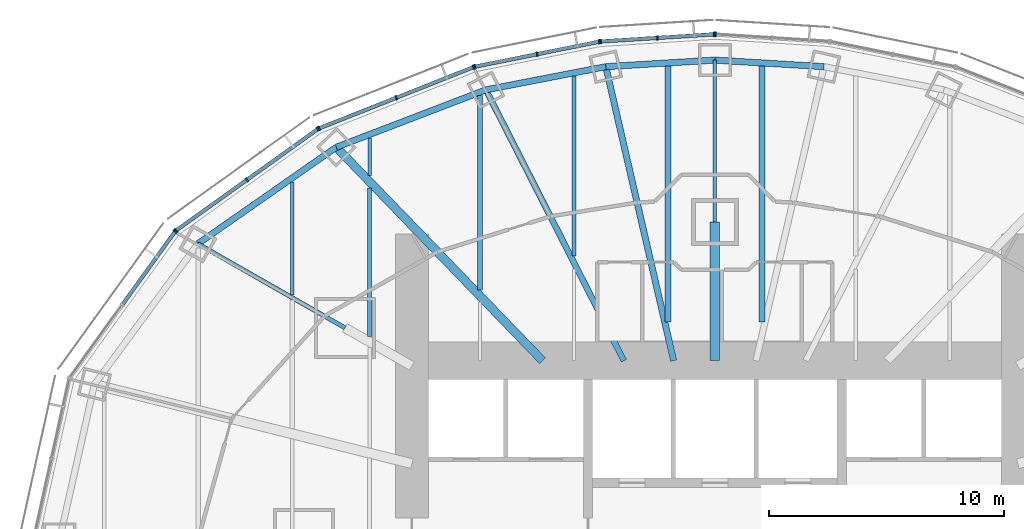
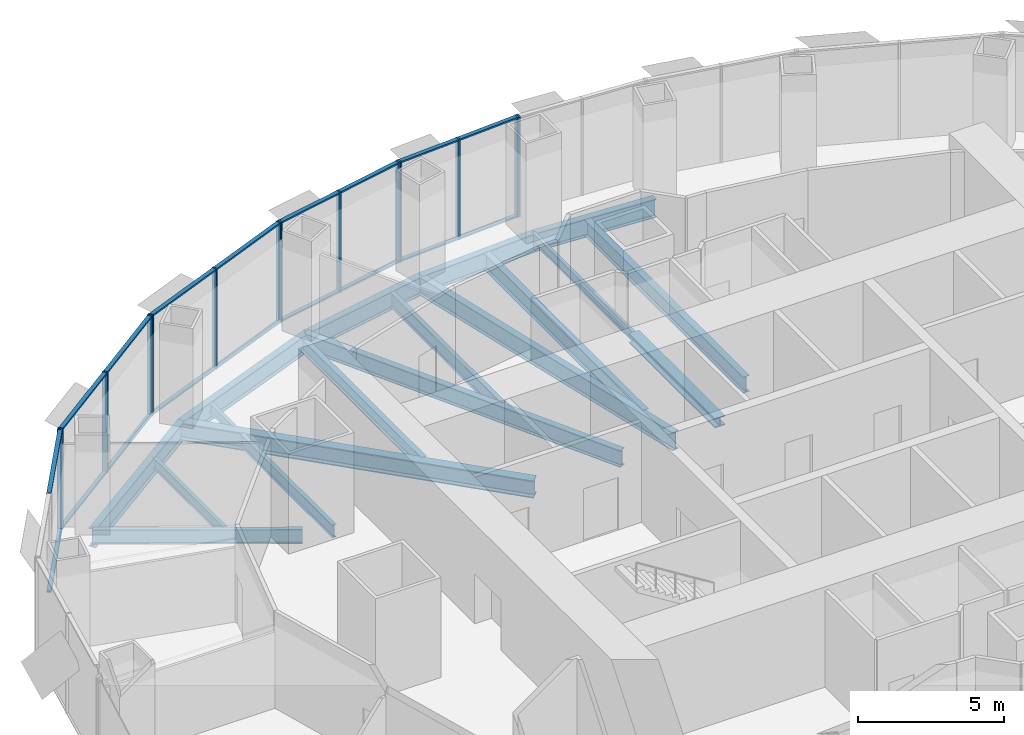
# One storey, part 7 of 17: 32 members, 18 beams, 6 elements without a shape of their own.
"""IFC4 building model written with IfcOpenShell, lengths in metres."""

import ifcopenshell
import ifcopenshell.guid

model = None  # the IFC model being written
_history = None  # IfcOwnerHistory: only IFC2X3 demands one
_inside = {}  # id of a spatial element -> (the spatial element, [elements in it])
_under = {}  # id of a project, library or spatial element -> (it, [spatial elements below it])
_declared = {}  # id of a project -> (the project, [libraries it declares])
_typed = {}  # id of a type object -> (the type object, [elements of that type])
_made_of = {}  # id of a material, layer set ... -> (it, [elements and type objects made of it])


def new_model(schema):
    """Start an empty IFC model of exactly this schema.

    Asked for "IFC4X3", IfcOpenShell would pick the latest addendum, in which some entities
    have other attributes; the version numbers below select the first issue.
    IFC2X3 requires an IfcOwnerHistory on every rooted entity: one is made here for all.
    """
    global model, _history
    if schema == "IFC4X3":
        model = ifcopenshell.file(schema_version=(4, 3, 0, 0))
    else:
        model = ifcopenshell.file(schema=schema)
    _inside.clear()
    _under.clear()
    _declared.clear()
    _typed.clear()
    _made_of.clear()
    _history = None
    if model.schema == "IFC2X3":
        org = make("IfcOrganization", Name="unknown")
        user = make(
            "IfcPersonAndOrganization",
            ThePerson=make("IfcPerson", FamilyName="unknown"),
            TheOrganization=org,
        )
        app = make(
            "IfcApplication",
            ApplicationDeveloper=org,
            Version="unknown",
            ApplicationFullName="unknown",
            ApplicationIdentifier="unknown",
        )
        _history = make(
            "IfcOwnerHistory",
            OwningUser=user,
            OwningApplication=app,
            ChangeAction="ADDED",
            CreationDate=0,
        )
    return model


def make(cls, **values):
    """One entity of the class cls with the attributes given. An attribute that is None is left unset."""
    return model.create_entity(
        cls, **{name: value for name, value in values.items() if value is not None}
    )


def rooted(cls, **values):
    """An entity with a GlobalId (a new one), such as an element, a storey or a relation."""
    return make(cls, GlobalId=ifcopenshell.guid.new(), OwnerHistory=_history, **values)


def si_unit(unit_type, name, prefix=None):
    """IfcSIUnit, for example si_unit("LENGTHUNIT", "METRE", prefix="MILLI")."""
    return make("IfcSIUnit", UnitType=unit_type, Prefix=prefix, Name=name)


def assignment(units):
    """IfcUnitAssignment: the units of a project."""
    return None if units is None else make("IfcUnitAssignment", Units=units)


def point(xyz):
    """IfcCartesianPoint."""
    return None if xyz is None else make("IfcCartesianPoint", Coordinates=xyz)


def direction(xyz):
    """IfcDirection."""
    return None if xyz is None else make("IfcDirection", DirectionRatios=xyz)


def frame(location, z_axis=None, x_axis=None):
    """IfcAxis2Placement3D, a coordinate frame: its origin and axes. An axis left out is left unset."""
    return make(
        "IfcAxis2Placement3D",
        Location=point(location),
        Axis=direction(z_axis),
        RefDirection=direction(x_axis),
    )


def frame_2d(location, x_axis=None):
    """IfcAxis2Placement2D, a coordinate frame in the plane: its origin and x axis."""
    return make(
        "IfcAxis2Placement2D", Location=point(location), RefDirection=direction(x_axis)
    )


def origin():
    """The frame at (0, 0, 0) with its axes left unset."""
    return frame((0.0, 0.0, 0.0))


def origin_2d():
    """The frame at (0, 0) in the plane with its x axis left unset."""
    return frame_2d((0.0, 0.0))


def place(relative_to, where):
    """IfcLocalPlacement: puts the frame where relative to a parent placement (None: the world)."""
    return make(
        "IfcLocalPlacement", PlacementRelTo=relative_to, RelativePlacement=where
    )


def context(
    kind, dimensions, precision=None, world=None, true_north=None, identifier=None
):
    """IfcGeometricRepresentationContext, for example the 3D "Model" context."""
    return make(
        "IfcGeometricRepresentationContext",
        ContextIdentifier=identifier,
        ContextType=kind,
        CoordinateSpaceDimension=dimensions,
        Precision=precision,
        WorldCoordinateSystem=world,
        TrueNorth=true_north,
    )


def subcontext(parent, identifier, kind, view, scale=None):
    """IfcGeometricRepresentationSubContext, for example "Body" below "Model"."""
    return make(
        "IfcGeometricRepresentationSubContext",
        ContextIdentifier=identifier,
        ContextType=kind,
        ParentContext=parent,
        TargetScale=scale,
        TargetView=view,
    )


def project(units=None, contexts=None):
    """IfcProject with its units and contexts."""
    return rooted(
        "IfcProject",
        Name="project",
        RepresentationContexts=contexts,
        UnitsInContext=assignment(units),
    )


def spatial(cls, under=None, at=None, **own):
    """A site, building, storey or space (cls), placed at a placement, below another one or the project."""
    s = rooted(cls, ObjectPlacement=at, **own)
    if under is not None:
        _under.setdefault(under.id(), (under, []))[1].append(s)
    return s


def profile(cls, at=None, kind="AREA", **sizes):
    """A parametric profile (cls). Its sizes go by their IFC names, for example OverallWidth=200.0."""
    return make(cls, ProfileType=kind, Position=at, **sizes)


def rectangle(**sizes):
    """IfcRectangleProfileDef."""
    return profile("IfcRectangleProfileDef", **sizes)


def i_section(**sizes):
    """IfcIShapeProfileDef."""
    return profile("IfcIShapeProfileDef", **sizes)


def extrude(swept, where, along, depth):
    """IfcExtrudedAreaSolid: the profile swept, set in the frame where, extruded along a direction by depth."""
    return make(
        "IfcExtrudedAreaSolid",
        SweptArea=swept,
        Position=where,
        ExtrudedDirection=direction(along),
        Depth=depth,
    )


def shape(context_of_items, identifier, shape_type, items):
    """IfcShapeRepresentation: the items that make up one representation, for example the "Body"."""
    return make(
        "IfcShapeRepresentation",
        ContextOfItems=context_of_items,
        RepresentationIdentifier=identifier,
        RepresentationType=shape_type,
        Items=items,
    )


def material(Name=None, Category=None):
    """IfcMaterial."""
    return make("IfcMaterial", Name=Name, Category=Category)


def material_profile(
    of_material, cross_section, Name=None, Category=None, Priority=None
):
    """IfcMaterialProfile: a cross section and its material."""
    return make(
        "IfcMaterialProfile",
        Name=Name,
        Material=of_material,
        Profile=cross_section,
        Priority=Priority,
        Category=Category,
    )


def profile_set(profiles, Name=None, composite=None):
    """IfcMaterialProfileSet."""
    return make(
        "IfcMaterialProfileSet",
        Name=Name,
        MaterialProfiles=profiles,
        CompositeProfile=composite,
    )


def made_of(thing, what):
    """Note that an element or type object is made of a material, layer set ...; save() writes the relation."""
    if what is not None:
        _made_of.setdefault(what.id(), (what, []))[1].append(thing)
    return thing


def type_object(cls, material=None, **own):
    """A type object (cls), such as IfcWallType, which elements share."""
    return made_of(rooted(cls, **own), material)


def element(
    cls,
    number,
    at=None,
    inside=None,
    cuts=None,
    type_object=None,
    material=None,
    context=None,
    identifier="Body",
    shape_type=None,
    held_by="IfcProductDefinitionShape",
    body=None,
    shapes=None,
    **own,
):
    """One element of the class cls, such as IfcWall. Its Tag is "e" and its number.

    at: its placement. inside: the storey or other place that contains it. cuts: it is an
    opening in that element (IfcRelVoidsElement). A single representation is given by context,
    identifier, shape_type and body (its items); several are given by shapes. held_by: the class
    of the entity that holds the representations. save() writes the other relations.
    """
    e = rooted(cls, Tag="e%d" % number, ObjectPlacement=at, **own)
    if body is not None:
        shapes = [shape(context, identifier, shape_type, body)]
    if shapes is not None:
        e.Representation = make(held_by, Representations=shapes)
    if inside is not None:
        _inside.setdefault(inside.id(), (inside, []))[1].append(e)
    if cuts is not None:
        rooted(
            "IfcRelVoidsElement", RelatingBuildingElement=cuts, RelatedOpeningElement=e
        )
    if type_object is not None:
        _typed.setdefault(type_object.id(), (type_object, []))[1].append(e)
    return made_of(e, material)


def aggregate(whole, parts):
    """IfcRelAggregates: a whole, such as a stair, and the parts it consists of."""
    return rooted("IfcRelAggregates", RelatingObject=whole, RelatedObjects=parts)


def save(model, path):
    """Write the relations noted so far, then the file.

    IfcRelAggregates (storeys below a building ...), IfcRelContainedInSpatialStructure (elements
    in a storey), IfcRelDefinesByType, IfcRelAssociatesMaterial and IfcRelDeclares: one each for
    every whole, place, type object, material and project.
    """
    for whole, parts in _under.values():
        aggregate(whole, parts)
    for where, things in _inside.values():
        rooted(
            "IfcRelContainedInSpatialStructure",
            RelatedElements=things,
            RelatingStructure=where,
        )
    for kind, things in _typed.values():
        rooted("IfcRelDefinesByType", RelatedObjects=things, RelatingType=kind)
    for what, things in _made_of.values():
        rooted("IfcRelAssociatesMaterial", RelatedObjects=things, RelatingMaterial=what)
    for by, libraries in _declared.values():
        rooted("IfcRelDeclares", RelatingContext=by, RelatedDefinitions=libraries)
    model.write(path)


model = new_model("IFC4")

# Units and contexts
model_context = context("Model", 3, precision=1e-05, world=origin(), true_north=direction((0.0, 1.0)))
body_context = subcontext(model_context, "Body", "Model", "MODEL_VIEW")
ifc_project = project(units=[si_unit("LENGTHUNIT", "METRE"), si_unit("AREAUNIT", "SQUARE_METRE"), si_unit("VOLUMEUNIT", "CUBIC_METRE"), si_unit("PLANEANGLEUNIT", "RADIAN"), si_unit("MASSUNIT", "GRAM", prefix="KILO")], contexts=[model_context])

# Site, building, storey
site_placement = place(None, origin())
site = spatial("IfcSite", under=ifc_project, at=site_placement, CompositionType="ELEMENT")
building_placement = place(site_placement, origin())
building = spatial("IfcBuilding", under=site, at=building_placement, Name="Lantaw Convention Tower", CompositionType="ELEMENT")
storey_placement = place(building_placement, frame((0.0, 0.0, 125.800048828125)))
storey = spatial("IfcBuildingStorey", under=building, at=storey_placement, Name="L29", CompositionType="ELEMENT", Elevation=125.800048828125)

# Beams
ifc_material_1 = material(Name="Steel ASTM A992", Category="steel")
ifc_material_profile_1 = material_profile(ifc_material_1, i_section(OverallWidth=0.2666015625, OverallDepth=0.76953125, WebThickness=0.015625, FlangeThickness=0.025390625, FilletRadius=0.0126953125, at=origin_2d()), Name="W30X132")
ifc_profile_set_1 = profile_set([ifc_material_profile_1], Name="Steel ASTM A992")
beam_type_1 = type_object("IfcBeamType", Name="Beam E W30X132", PredefinedType="SPANDREL", material=ifc_profile_set_1)
for number, where, z_axis, x_axis, name in (
    (1, (4.64501953125, 20.1201171875, -0.534912109375), (-0.998190892054, 0.06012439621, 0.0), (-0.06012439621, -0.998190892054, 0.0), "Edge beam 6"),
    (2, (0.0, 20.39990234375, -0.534912109375), (-0.998190892054, -0.06012439621, 0.0), (0.06012439621, -0.998190892054, 0.0), "Edge beam 7"),
):
    element("IfcBeam", number, at=place(storey_placement, frame(where, z_axis=z_axis, x_axis=x_axis)), inside=storey, type_object=beam_type_1, Name=name, PredefinedType="SPANDREL", context=body_context, shape_type="SweptSolid", body=[
        extrude(i_section(OverallWidth=0.2666015625, OverallDepth=0.76953125, WebThickness=0.015625, FlangeThickness=0.025390625, FilletRadius=0.0126953125, at=origin_2d()), origin(), (0.0, 0.0, 1.0), 4.6533203125),
    ])
beam_1_placement = place(storey_placement, frame((-4.64501953125, 20.1201171875, -0.534912109375), z_axis=(-0.981796805654, -0.189934284446, 0.0), x_axis=(0.189934284446, -0.981796805654, 0.0)))
element("IfcBeam", 3, at=beam_1_placement, inside=storey, type_object=beam_type_1, Name="Edge beam 8", PredefinedType="SPANDREL", context=body_context, shape_type="SweptSolid", body=[
    extrude(i_section(OverallWidth=0.2666015625, OverallDepth=0.76953125, WebThickness=0.015625, FlangeThickness=0.025390625, FilletRadius=0.0126953125, at=origin_2d()), origin(), (0.0, 0.0, 1.0), 5.1982421875),
])
beam_2_placement = place(storey_placement, frame((-9.74853515625, 19.1328125, -0.534912109375), z_axis=(-0.933691081977, -0.358079549033, 0.0), x_axis=(0.358079549033, -0.933691081977, 0.0)))
element("IfcBeam", 4, at=beam_2_placement, inside=storey, type_object=beam_type_1, Name="Edge beam 9", PredefinedType="SPANDREL", context=body_context, shape_type="SweptSolid", body=[
    extrude(i_section(OverallWidth=0.2666015625, OverallDepth=0.76953125, WebThickness=0.015625, FlangeThickness=0.025390625, FilletRadius=0.0126953125, at=origin_2d()), origin(), (0.0, 0.0, 1.0), 6.821533203125),
])
beam_3_placement = place(storey_placement, frame((-16.11767578125, 16.690185546875, -0.534912109375), z_axis=(-0.820310765287, -0.57191804339, 0.0), x_axis=(0.57191804339, -0.820310765287, 0.0)))
element("IfcBeam", 5, at=beam_3_placement, inside=storey, type_object=beam_type_1, Name="Edge beam 10", PredefinedType="SPANDREL", context=body_context, shape_type="SweptSolid", body=[
    extrude(i_section(OverallWidth=0.2666015625, OverallDepth=0.76953125, WebThickness=0.015625, FlangeThickness=0.025390625, FilletRadius=0.0126953125, at=origin_2d()), origin(), (0.0, 0.0, 1.0), 7.187744140625),
])
ifc_material_profile_2 = material_profile(ifc_material_1, i_section(OverallWidth=0.140380859375, OverallDepth=0.40380859375, WebThickness=0.007080078125, FlangeThickness=0.01123046875, FilletRadius=0.01025390625, at=origin_2d()), Name="W16X31")
ifc_profile_set_2 = profile_set([ifc_material_profile_2], Name="Steel ASTM A992")
beam_type_2 = type_object("IfcBeamType", Name="Beam G W16X31", PredefinedType="BEAM", material=ifc_profile_set_2)
beam_4_placement = place(storey_placement, frame((0.0, 13.5, -0.35205078125), z_axis=(0.0, 1.0, 0.0), x_axis=(-1.0, 0.0, 0.0)))
element("IfcBeam", 6, at=beam_4_placement, inside=storey, type_object=beam_type_2, Name="Floor girder on ray 7", PredefinedType="BEAM", context=body_context, shape_type="SweptSolid", body=[
    extrude(i_section(OverallWidth=0.140380859375, OverallDepth=0.40380859375, WebThickness=0.007080078125, FlangeThickness=0.01123046875, FilletRadius=0.01025390625, at=origin_2d()), origin(), (0.0, 0.0, 1.0), 6.89990234375),
])
ifc_material_profile_3 = material_profile(ifc_material_1, i_section(OverallWidth=0.177978515625, OverallDepth=0.599365234375, WebThickness=0.010009765625, FlangeThickness=0.012939453125, FilletRadius=0.012939453125, at=origin_2d()), Name="W24X55")
ifc_profile_set_3 = profile_set([ifc_material_profile_3], Name="Steel ASTM A992")
beam_type_3 = type_object("IfcBeamType", Name="Beam G W24X55", PredefinedType="BEAM", material=ifc_profile_set_3)
beam_5_placement = place(storey_placement, frame((-15.75, 9.0, -0.44970703125), z_axis=(-0.868245224608, 0.496135293993, 0.0), x_axis=(-0.496135293993, -0.868245224608, 0.0)))
element("IfcBeam", 7, at=beam_5_placement, inside=storey, type_object=beam_type_3, Name="Floor girder on ray 11", PredefinedType="BEAM", context=body_context, shape_type="SweptSolid", body=[
    extrude(i_section(OverallWidth=0.177978515625, OverallDepth=0.599365234375, WebThickness=0.010009765625, FlangeThickness=0.012939453125, FilletRadius=0.012939453125, at=origin_2d()), origin(), (0.0, 0.0, 1.0), 7.21435546875),
])
ifc_material_profile_4 = material_profile(ifc_material_1, i_section(OverallWidth=0.25390625, OverallDepth=0.700927734375, WebThickness=0.015380859375, FlangeThickness=0.02783203125, FilletRadius=0.01513671875, at=origin_2d()), Name="W27X129")
ifc_profile_set_4 = profile_set([ifc_material_profile_4], Name="Steel ASTM A992")
beam_type_4 = type_object("IfcBeamType", Name="Beam G W27X129", PredefinedType="BEAM", material=ifc_profile_set_4)
beam_6_placement = place(storey_placement, frame((-3.872314453125, 7.60009765625, -0.50048828125), z_axis=(-0.453991051051, 0.891006243281, 0.0), x_axis=(-0.891006243281, -0.453991051051, 0.0)))
element("IfcBeam", 8, at=beam_6_placement, inside=storey, type_object=beam_type_4, Name="Floor girder on ray 9", PredefinedType="BEAM", context=body_context, shape_type="SweptSolid", body=[
    extrude(i_section(OverallWidth=0.25390625, OverallDepth=0.700927734375, WebThickness=0.015380859375, FlangeThickness=0.02783203125, FilletRadius=0.01513671875, at=origin_2d()), origin(), (0.0, 0.0, 1.0), 12.943359375),
])
ifc_material_profile_5 = material_profile(ifc_material_1, i_section(OverallWidth=0.360595703125, OverallDepth=0.72900390625, WebThickness=0.023193359375, FlangeThickness=0.041015625, FilletRadius=0.0126953125, at=origin_2d()), Name="W27X235")
ifc_profile_set_5 = profile_set([ifc_material_profile_5], Name="Steel ASTM A992")
beam_type_5 = type_object("IfcBeamType", Name="Beam G W27X235", PredefinedType="BEAM", material=ifc_profile_set_5)
beam_7_placement = place(storey_placement, frame((-7.33935546875, 7.60009765625, -0.5146484375), z_axis=(-0.694663467407, 0.719334878239, 0.0), x_axis=(-0.719334878239, -0.694663467407, 0.0)))
element("IfcBeam", 9, at=beam_7_placement, inside=storey, type_object=beam_type_5, Name="Floor girder on ray 10", PredefinedType="BEAM", context=body_context, shape_type="SweptSolid", body=[
    extrude(i_section(OverallWidth=0.360595703125, OverallDepth=0.72900390625, WebThickness=0.023193359375, FlangeThickness=0.041015625, FilletRadius=0.0126953125, at=origin_2d()), origin(), (0.0, 0.0, 1.0), 12.63671875),
])
ifc_material_profile_6 = material_profile(ifc_material_1, i_section(OverallWidth=0.2666015625, OverallDepth=0.7568359375, WebThickness=0.013916015625, FlangeThickness=0.019287109375, FilletRadius=0.0126953125, at=origin_2d()), Name="W30X108")
ifc_profile_set_6 = profile_set([ifc_material_profile_6], Name="Steel ASTM A992")
beam_type_6 = type_object("IfcBeamType", Name="Beam G W30X108", PredefinedType="BEAM", material=ifc_profile_set_6)
beam_8_placement = place(storey_placement, frame((-1.754638671875, 7.60009765625, -0.528564453125), z_axis=(-0.224944153104, 0.974371658036, 0.0), x_axis=(-0.974371658036, -0.224944153104, 0.0)))
element("IfcBeam", 10, at=beam_8_placement, inside=storey, type_object=beam_type_6, Name="Floor girder on ray 8", PredefinedType="BEAM", context=body_context, shape_type="SweptSolid", body=[
    extrude(i_section(OverallWidth=0.2666015625, OverallDepth=0.7568359375, WebThickness=0.013916015625, FlangeThickness=0.019287109375, FilletRadius=0.0126953125, at=origin_2d()), origin(), (0.0, 0.0, 1.0), 12.849365234375),
])
ifc_material_profile_7 = material_profile(ifc_material_1, i_section(OverallWidth=0.40380859375, OverallDepth=0.406494140625, WebThickness=0.027099609375, FlangeThickness=0.043701171875, FilletRadius=0.01513671875, at=origin_2d()), Name="W14X233")
ifc_profile_set_7 = profile_set([ifc_material_profile_7], Name="Steel ASTM A992")
beam_type_7 = type_object("IfcBeamType", Name="Beam GM W14X233", PredefinedType="BEAM", material=ifc_profile_set_7)
beam_9_placement = place(storey_placement, frame((0.0, 7.60009765625, -0.353271484375), z_axis=(0.0, 1.0, 0.0), x_axis=(-1.0, 0.0, 0.0)))
element("IfcBeam", 11, at=beam_9_placement, inside=storey, type_object=beam_type_7, Name="Core link beam on ray 7", PredefinedType="BEAM", context=body_context, shape_type="SweptSolid", body=[
    extrude(i_section(OverallWidth=0.40380859375, OverallDepth=0.406494140625, WebThickness=0.027099609375, FlangeThickness=0.043701171875, FilletRadius=0.01513671875, at=origin_2d()), origin(), (0.0, 0.0, 1.0), 5.89990234375),
])
ifc_material_profile_8 = material_profile(ifc_material_1, i_section(OverallWidth=0.140380859375, OverallDepth=0.40380859375, WebThickness=0.007080078125, FlangeThickness=0.01123046875, FilletRadius=0.01025390625, at=origin_2d()), Name="W16X31")
ifc_profile_set_8 = profile_set([ifc_material_profile_8], Name="Steel ASTM A992")
beam_type_8 = type_object("IfcBeamType", Name="Beam J W16X31", PredefinedType="JOIST", material=ifc_profile_set_8)
beam_10_placement = place(storey_placement, frame((-14.699951171875, 15.48193359375, -0.35205078125), z_axis=(0.0, 1.0, 0.0), x_axis=(-1.0, 0.0, 0.0)))
element("IfcBeam", 12, at=beam_10_placement, inside=storey, type_object=beam_type_8, Name="Floor joist", PredefinedType="JOIST", context=body_context, shape_type="SweptSolid", body=[
    extrude(i_section(OverallWidth=0.140380859375, OverallDepth=0.40380859375, WebThickness=0.007080078125, FlangeThickness=0.01123046875, FilletRadius=0.01025390625, at=origin_2d()), origin(), (0.0, 0.0, 1.0), 1.609130859375),
])
ifc_material_profile_9 = material_profile(ifc_material_1, i_section(OverallWidth=0.15234375, OverallDepth=0.449462890625, WebThickness=0.007568359375, FlangeThickness=0.0107421875, FilletRadius=0.01025390625, at=origin_2d()), Name="W18X35")
ifc_profile_set_9 = profile_set([ifc_material_profile_9], Name="Steel ASTM A992")
beam_type_9 = type_object("IfcBeamType", Name="Beam J W18X35", PredefinedType="JOIST", material=ifc_profile_set_9)
beam_11_placement = place(storey_placement, frame((-18.0, 10.38818359375, -0.374755859375), z_axis=(0.0, 1.0, 0.0), x_axis=(-1.0, 0.0, 0.0)))
element("IfcBeam", 13, at=beam_11_placement, inside=storey, type_object=beam_type_9, Name="Floor joist", PredefinedType="JOIST", context=body_context, shape_type="SweptSolid", body=[
    extrude(i_section(OverallWidth=0.15234375, OverallDepth=0.449462890625, WebThickness=0.007568359375, FlangeThickness=0.0107421875, FilletRadius=0.01025390625, at=origin_2d()), origin(), (0.0, 0.0, 1.0), 4.8271484375),
])
ifc_material_profile_10 = material_profile(ifc_material_1, i_section(OverallWidth=0.1650390625, OverallDepth=0.52587890625, WebThickness=0.0087890625, FlangeThickness=0.011474609375, FilletRadius=0.0126953125, at=origin_2d()), Name="W21X44")
ifc_profile_set_10 = profile_set([ifc_material_profile_10], Name="Steel ASTM A992")
beam_type_10 = type_object("IfcBeamType", Name="Beam J W21X44", PredefinedType="JOIST", material=ifc_profile_set_10)
beam_12_placement = place(storey_placement, frame((-14.699951171875, 8.632568359375, -0.412841796875), z_axis=(0.0, 1.0, 0.0), x_axis=(-1.0, 0.0, 0.0)))
element("IfcBeam", 14, at=beam_12_placement, inside=storey, type_object=beam_type_10, Name="Floor joist", PredefinedType="JOIST", context=body_context, shape_type="SweptSolid", body=[
    extrude(i_section(OverallWidth=0.1650390625, OverallDepth=0.52587890625, WebThickness=0.0087890625, FlangeThickness=0.011474609375, FilletRadius=0.0126953125, at=origin_2d()), origin(), (0.0, 0.0, 1.0), 6.330078125),
])
ifc_material_profile_11 = material_profile(ifc_material_1, i_section(OverallWidth=0.2099609375, OverallDepth=0.535888671875, WebThickness=0.010986328125, FlangeThickness=0.017333984375, FilletRadius=0.012939453125, at=origin_2d()), Name="W21X68")
ifc_profile_set_11 = profile_set([ifc_material_profile_11], Name="Steel ASTM A992")
beam_type_11 = type_object("IfcBeamType", Name="Beam J W21X68", PredefinedType="JOIST", material=ifc_profile_set_11)
beam_13_placement = place(storey_placement, frame((-10.0, 10.614990234375, -0.41796875), z_axis=(0.0, 1.0, 0.0), x_axis=(-1.0, 0.0, 0.0)))
element("IfcBeam", 15, at=beam_13_placement, inside=storey, type_object=beam_type_11, Name="Floor joist", PredefinedType="JOIST", context=body_context, shape_type="SweptSolid", body=[
    extrude(i_section(OverallWidth=0.2099609375, OverallDepth=0.535888671875, WebThickness=0.010986328125, FlangeThickness=0.017333984375, FilletRadius=0.012939453125, at=origin_2d()), origin(), (0.0, 0.0, 1.0), 8.278564453125),
])
ifc_material_profile_12 = material_profile(ifc_material_1, i_section(OverallWidth=0.177978515625, OverallDepth=0.599365234375, WebThickness=0.010009765625, FlangeThickness=0.012939453125, FilletRadius=0.012939453125, at=origin_2d()), Name="W24X55")
ifc_profile_set_12 = profile_set([ifc_material_profile_12], Name="Steel ASTM A992")
beam_type_12 = type_object("IfcBeamType", Name="Beam J W24X55", PredefinedType="JOIST", material=ifc_profile_set_12)
beam_14_placement = place(storey_placement, frame((-6.0, 12.055419921875, -0.44970703125), z_axis=(0.0, 1.0, 0.0), x_axis=(-1.0, 0.0, 0.0)))
element("IfcBeam", 16, at=beam_14_placement, inside=storey, type_object=beam_type_12, Name="Floor joist", PredefinedType="JOIST", context=body_context, shape_type="SweptSolid", body=[
    extrude(i_section(OverallWidth=0.177978515625, OverallDepth=0.599365234375, WebThickness=0.010009765625, FlangeThickness=0.012939453125, FilletRadius=0.012939453125, at=origin_2d()), origin(), (0.0, 0.0, 1.0), 7.666748046875),
])
ifc_material_profile_13 = material_profile(ifc_material_1, i_section(OverallWidth=0.25390625, OverallDepth=0.683349609375, WebThickness=0.012451171875, FlangeThickness=0.01904296875, FilletRadius=0.01513671875, at=origin_2d()), Name="W27X94")
ifc_profile_set_13 = profile_set([ifc_material_profile_13], Name="Steel ASTM A992")
beam_type_13 = type_object("IfcBeamType", Name="Beam J W27X94", PredefinedType="JOIST", material=ifc_profile_set_13)
for number, where, z_axis, x_axis, name in (
    (17, (-2.0, 9.255859375, -0.49169921875), (0.0, 1.0, 0.0), (-1.0, 0.0, 0.0), "Floor joist"),
    (18, (2.0, 9.255859375, -0.49169921875), (0.0, 1.0, 0.0), (-1.0, 0.0, 0.0), "Floor joist"),
):
    element("IfcBeam", number, at=place(storey_placement, frame(where, z_axis=z_axis, x_axis=x_axis)), inside=storey, type_object=beam_type_13, Name=name, PredefinedType="JOIST", context=body_context, shape_type="SweptSolid", body=[
        extrude(i_section(OverallWidth=0.25390625, OverallDepth=0.683349609375, WebThickness=0.012451171875, FlangeThickness=0.01904296875, FilletRadius=0.01513671875, at=origin_2d()), origin(), (0.0, 0.0, 1.0), 10.889892578125),
    ])

# Curtain wall, member
ifc_material_2 = material(Name="Aluminium framed curtain wall", Category="aluminium")
curtain_wall_type = type_object("IfcCurtainWallType", Name="Office curtain wall low rise, pale aluminium", PredefinedType="USERDEFINED", material=ifc_material_2)
curtain_wall_1_placement = place(storey_placement, origin())
curtain_wall_1 = element("IfcCurtainWall", 19, at=curtain_wall_1_placement, inside=storey, type_object=curtain_wall_type, Name="Office curtain wall low rise, pale aluminium L29", ObjectType="UNITISED CURTAIN WALL", PredefinedType="USERDEFINED")
ifc_material_3 = material(Name="Aluminium 6063-T6", Category="aluminium")
ifc_material_profile_14 = material_profile(ifc_material_3, rectangle(XDim=0.199951171875, YDim=0.06494140625, at=origin_2d()), Name="CW-O1 mullion 65x200")
ifc_profile_set_14 = profile_set([ifc_material_profile_14], Name="Aluminium 6063-T6")
member_type_1 = type_object("IfcMemberType", Name="CW-O1 mullion 65x200", PredefinedType="MULLION", material=ifc_profile_set_14)
member_1_placement = place(storey_placement, frame((0.032470703125, 21.498046875, -0.150146484375), z_axis=(0.0, 0.0, 1.0), x_axis=(-0.062865059466, -0.998022035978, 0.0)))
member_1 = element("IfcMember", 20, at=member_1_placement, type_object=member_type_1, Name="CW-O1 mullion 3", PredefinedType="MULLION", context=body_context, shape_type="SweptSolid", body=[
    extrude(rectangle(XDim=0.199951171875, YDim=0.06494140625, at=origin_2d()), origin(), (0.0, 0.0, 1.0), 4.2001953125),
])
aggregate(curtain_wall_1, [member_1])

# Curtain wall, members
curtain_wall_2_placement = place(storey_placement, origin())
curtain_wall_2 = element("IfcCurtainWall", 21, at=curtain_wall_2_placement, inside=storey, type_object=curtain_wall_type, Name="Office curtain wall low rise, pale aluminium L29", ObjectType="UNITISED CURTAIN WALL", PredefinedType="USERDEFINED")
member_2_placement = place(storey_placement, frame((-0.032470703125, 21.498046875, -0.150146484375), z_axis=(0.0, 0.0, 1.0), x_axis=(0.062865059466, -0.998022035978, 0.0)))
member_2 = element("IfcMember", 22, at=member_2_placement, type_object=member_type_1, Name="CW-O1 mullion 1", PredefinedType="MULLION", context=body_context, shape_type="SweptSolid", body=[
    extrude(rectangle(XDim=0.199951171875, YDim=0.06494140625, at=origin_2d()), origin(), (0.0, 0.0, 1.0), 4.2001953125),
])
member_3_placement = place(storey_placement, frame((-2.4462890625, 21.345947265625, -0.150146484375), z_axis=(0.0, 0.0, 1.0), x_axis=(0.062865059466, -0.998022035978, 0.0)))
member_3 = element("IfcMember", 23, at=member_3_placement, type_object=member_type_1, Name="CW-O1 mullion 2", PredefinedType="MULLION", context=body_context, shape_type="SweptSolid", body=[
    extrude(rectangle(XDim=0.199951171875, YDim=0.06494140625, at=origin_2d()), origin(), (0.0, 0.0, 1.0), 4.2001953125),
])
member_4_placement = place(storey_placement, frame((-4.860107421875, 21.19384765625, -0.150146484375), z_axis=(0.0, 0.0, 1.0), x_axis=(0.062865059466, -0.998022035978, 0.0)))
member_4 = element("IfcMember", 24, at=member_4_placement, type_object=member_type_1, Name="CW-O1 mullion 3", PredefinedType="MULLION", context=body_context, shape_type="SweptSolid", body=[
    extrude(rectangle(XDim=0.199951171875, YDim=0.06494140625, at=origin_2d()), origin(), (0.0, 0.0, 1.0), 4.2001953125),
])

curtain_wall_3_placement = place(storey_placement, origin())
curtain_wall_3 = element("IfcCurtainWall", 25, at=curtain_wall_3_placement, inside=storey, type_object=curtain_wall_type, Name="Office curtain wall low rise, pale aluminium L29", ObjectType="UNITISED CURTAIN WALL", PredefinedType="USERDEFINED")
member_5_placement = place(storey_placement, frame((-4.92431640625, 21.185302734375, -0.150146484375), z_axis=(0.0, 0.0, 1.0), x_axis=(0.197506809659, -0.980301514912, 0.0)))
member_5 = element("IfcMember", 26, at=member_5_placement, type_object=member_type_1, Name="CW-O1 mullion 1", PredefinedType="MULLION", context=body_context, shape_type="SweptSolid", body=[
    extrude(rectangle(XDim=0.199951171875, YDim=0.06494140625, at=origin_2d()), origin(), (0.0, 0.0, 1.0), 4.2001953125),
])
member_6_placement = place(storey_placement, frame((-7.5703125, 20.65234375, -0.150146484375), z_axis=(0.0, 0.0, 1.0), x_axis=(0.197506809659, -0.980301514912, 0.0)))
member_6 = element("IfcMember", 27, at=member_6_placement, type_object=member_type_1, Name="CW-O1 mullion 2", PredefinedType="MULLION", context=body_context, shape_type="SweptSolid", body=[
    extrude(rectangle(XDim=0.199951171875, YDim=0.06494140625, at=origin_2d()), origin(), (0.0, 0.0, 1.0), 4.2001953125),
])
member_7_placement = place(storey_placement, frame((-10.216064453125, 20.119140625, -0.150146484375), z_axis=(0.0, 0.0, 1.0), x_axis=(0.197506809659, -0.980301514912, 0.0)))
member_7 = element("IfcMember", 28, at=member_7_placement, type_object=member_type_1, Name="CW-O1 mullion 3", PredefinedType="MULLION", context=body_context, shape_type="SweptSolid", body=[
    extrude(rectangle(XDim=0.199951171875, YDim=0.06494140625, at=origin_2d()), origin(), (0.0, 0.0, 1.0), 4.2001953125),
])

curtain_wall_4_placement = place(storey_placement, origin())
curtain_wall_4 = element("IfcCurtainWall", 29, at=curtain_wall_4_placement, inside=storey, type_object=curtain_wall_type, Name="Office curtain wall low rise, pale aluminium L29", ObjectType="UNITISED CURTAIN WALL", PredefinedType="USERDEFINED")
member_8_placement = place(storey_placement, frame((-10.2783203125, 20.100830078125, -0.150146484375), z_axis=(0.0, 0.0, 1.0), x_axis=(0.368701907483, -0.929547687544, 0.0)))
member_8 = element("IfcMember", 30, at=member_8_placement, type_object=member_type_1, Name="CW-O1 mullion 1", PredefinedType="MULLION", context=body_context, shape_type="SweptSolid", body=[
    extrude(rectangle(XDim=0.199951171875, YDim=0.06494140625, at=origin_2d()), origin(), (0.0, 0.0, 1.0), 4.2001953125),
])
member_9_placement = place(storey_placement, frame((-13.56494140625, 18.797119140625, -0.150146484375), z_axis=(0.0, 0.0, 1.0), x_axis=(0.368701907483, -0.929547687544, 0.0)))
member_9 = element("IfcMember", 31, at=member_9_placement, type_object=member_type_1, Name="CW-O1 mullion 2", PredefinedType="MULLION", context=body_context, shape_type="SweptSolid", body=[
    extrude(rectangle(XDim=0.199951171875, YDim=0.06494140625, at=origin_2d()), origin(), (0.0, 0.0, 1.0), 4.2001953125),
])
member_10_placement = place(storey_placement, frame((-16.8515625, 17.49365234375, -0.150146484375), z_axis=(0.0, 0.0, 1.0), x_axis=(0.368701907483, -0.929547687544, 0.0)))
member_10 = element("IfcMember", 32, at=member_10_placement, type_object=member_type_1, Name="CW-O1 mullion 3", PredefinedType="MULLION", context=body_context, shape_type="SweptSolid", body=[
    extrude(rectangle(XDim=0.199951171875, YDim=0.06494140625, at=origin_2d()), origin(), (0.0, 0.0, 1.0), 4.2001953125),
])

curtain_wall_5_placement = place(storey_placement, origin())
curtain_wall_5 = element("IfcCurtainWall", 33, at=curtain_wall_5_placement, inside=storey, type_object=curtain_wall_type, Name="Office curtain wall low rise, pale aluminium L29", ObjectType="UNITISED CURTAIN WALL", PredefinedType="USERDEFINED")
member_11_placement = place(storey_placement, frame((-16.908203125, 17.462646484375, -0.150146484375), z_axis=(0.0, 0.0, 1.0), x_axis=(0.581972695693, -0.813208325995, 0.0)))
member_11 = element("IfcMember", 34, at=member_11_placement, type_object=member_type_1, Name="CW-O1 mullion 1", PredefinedType="MULLION", context=body_context, shape_type="SweptSolid", body=[
    extrude(rectangle(XDim=0.199951171875, YDim=0.06494140625, at=origin_2d()), origin(), (0.0, 0.0, 1.0), 4.2001953125),
])
member_12_placement = place(storey_placement, frame((-19.92529296875, 15.303466796875, -0.150146484375), z_axis=(0.0, 0.0, 1.0), x_axis=(0.581972695693, -0.813208325995, 0.0)))
member_12 = element("IfcMember", 35, at=member_12_placement, type_object=member_type_1, Name="CW-O1 mullion 2", PredefinedType="MULLION", context=body_context, shape_type="SweptSolid", body=[
    extrude(rectangle(XDim=0.199951171875, YDim=0.06494140625, at=origin_2d()), origin(), (0.0, 0.0, 1.0), 4.2001953125),
])
member_13_placement = place(storey_placement, frame((-22.942626953125, 13.14404296875, -0.150146484375), z_axis=(0.0, 0.0, 1.0), x_axis=(0.581972695693, -0.813208325995, 0.0)))
member_13 = element("IfcMember", 36, at=member_13_placement, type_object=member_type_1, Name="CW-O1 mullion 3", PredefinedType="MULLION", context=body_context, shape_type="SweptSolid", body=[
    extrude(rectangle(XDim=0.199951171875, YDim=0.06494140625, at=origin_2d()), origin(), (0.0, 0.0, 1.0), 4.2001953125),
])

# Curtain wall, member
curtain_wall_6_placement = place(storey_placement, origin())
curtain_wall_6 = element("IfcCurtainWall", 37, at=curtain_wall_6_placement, inside=storey, type_object=curtain_wall_type, Name="Office curtain wall low rise, pale aluminium L29", ObjectType="UNITISED CURTAIN WALL", PredefinedType="USERDEFINED")
member_14_placement = place(storey_placement, frame((-22.988037109375, 13.098876953125, -0.150146484375), z_axis=(0.0, 0.0, 1.0), x_axis=(0.811384633629, -0.584512597221, 0.0)))
member_14 = element("IfcMember", 38, at=member_14_placement, type_object=member_type_1, Name="CW-O1 mullion 1", PredefinedType="MULLION", context=body_context, shape_type="SweptSolid", body=[
    extrude(rectangle(XDim=0.199951171875, YDim=0.06494140625, at=origin_2d()), origin(), (0.0, 0.0, 1.0), 4.2001953125),
])

# Member
ifc_material_profile_15 = material_profile(ifc_material_3, rectangle(XDim=0.159912109375, YDim=0.06494140625, at=origin_2d()), Name="CW-O1 transom 65x160")
ifc_profile_set_15 = profile_set([ifc_material_profile_15], Name="Aluminium 6063-T6")
member_type_2 = type_object("IfcMemberType", Name="CW-O1 transom 65x160", PredefinedType="USERDEFINED", material=ifc_profile_set_15)
member_15_placement = place(storey_placement, frame((-0.06494140625, 21.495849609375, -0.117431640625), z_axis=(-0.998022188463, -0.062862638625, 0.0), x_axis=(0.062862638625, -0.998022188463, 0.0)))
member_15 = element("IfcMember", 39, at=member_15_placement, type_object=member_type_2, Name="CW-O1 transom 1.1", ObjectType="TRANSOM", PredefinedType="USERDEFINED", context=body_context, shape_type="SweptSolid", body=[
    extrude(rectangle(XDim=0.159912109375, YDim=0.06494140625, at=origin_2d()), origin(), (0.0, 0.0, 1.0), 2.353515625),
])

member_16_placement = place(storey_placement, frame((-0.06494140625, 21.495849609375, 4.017333984375), z_axis=(-0.998022188463, -0.062862638625, 0.0), x_axis=(0.062862638625, -0.998022188463, 0.0)))
member_16 = element("IfcMember", 40, at=member_16_placement, type_object=member_type_2, Name="CW-O1 transom 1.2", ObjectType="TRANSOM", PredefinedType="USERDEFINED", context=body_context, shape_type="SweptSolid", body=[
    extrude(rectangle(XDim=0.159912109375, YDim=0.06494140625, at=origin_2d()), origin(), (0.0, 0.0, 1.0), 2.353515625),
])

member_17_placement = place(storey_placement, frame((-2.478759765625, 21.34375, -0.117431640625), z_axis=(-0.998022188463, -0.062862638625, 0.0), x_axis=(0.062862638625, -0.998022188463, 0.0)))
member_17 = element("IfcMember", 41, at=member_17_placement, type_object=member_type_2, Name="CW-O1 transom 2.1", ObjectType="TRANSOM", PredefinedType="USERDEFINED", context=body_context, shape_type="SweptSolid", body=[
    extrude(rectangle(XDim=0.159912109375, YDim=0.06494140625, at=origin_2d()), origin(), (0.0, 0.0, 1.0), 2.353515625),
])

member_18_placement = place(storey_placement, frame((-2.478759765625, 21.34375, 4.017333984375), z_axis=(-0.998022188463, -0.062862638625, 0.0), x_axis=(0.062862638625, -0.998022188463, 0.0)))
member_18 = element("IfcMember", 42, at=member_18_placement, type_object=member_type_2, Name="CW-O1 transom 2.2", ObjectType="TRANSOM", PredefinedType="USERDEFINED", context=body_context, shape_type="SweptSolid", body=[
    extrude(rectangle(XDim=0.159912109375, YDim=0.06494140625, at=origin_2d()), origin(), (0.0, 0.0, 1.0), 2.353515625),
])

aggregate(curtain_wall_2, [member_2, member_3, member_4, member_15, member_16, member_17, member_18])

member_19_placement = place(storey_placement, frame((-4.956298828125, 21.178955078125, -0.117431640625), z_axis=(-0.980298027092, -0.197524120247, 0.0), x_axis=(0.197524120247, -0.980298027092, 0.0)))
member_19 = element("IfcMember", 43, at=member_19_placement, type_object=member_type_2, Name="CW-O1 transom 1.1", ObjectType="TRANSOM", PredefinedType="USERDEFINED", context=body_context, shape_type="SweptSolid", body=[
    extrude(rectangle(XDim=0.159912109375, YDim=0.06494140625, at=origin_2d()), origin(), (0.0, 0.0, 1.0), 2.634033203125),
])

member_20_placement = place(storey_placement, frame((-4.956298828125, 21.178955078125, 4.017333984375), z_axis=(-0.980298027092, -0.197524120247, 0.0), x_axis=(0.197524120247, -0.980298027092, 0.0)))
member_20 = element("IfcMember", 44, at=member_20_placement, type_object=member_type_2, Name="CW-O1 transom 1.2", ObjectType="TRANSOM", PredefinedType="USERDEFINED", context=body_context, shape_type="SweptSolid", body=[
    extrude(rectangle(XDim=0.159912109375, YDim=0.06494140625, at=origin_2d()), origin(), (0.0, 0.0, 1.0), 2.634033203125),
])

member_21_placement = place(storey_placement, frame((-7.60205078125, 20.64599609375, -0.117431640625), z_axis=(-0.980301643003, -0.197506173891, 0.0), x_axis=(0.197506173891, -0.980301643003, 0.0)))
member_21 = element("IfcMember", 45, at=member_21_placement, type_object=member_type_2, Name="CW-O1 transom 2.1", ObjectType="TRANSOM", PredefinedType="USERDEFINED", context=body_context, shape_type="SweptSolid", body=[
    extrude(rectangle(XDim=0.159912109375, YDim=0.06494140625, at=origin_2d()), origin(), (0.0, 0.0, 1.0), 2.63427734375),
])

member_22_placement = place(storey_placement, frame((-7.60205078125, 20.64599609375, 4.017333984375), z_axis=(-0.980301643003, -0.197506173891, 0.0), x_axis=(0.197506173891, -0.980301643003, 0.0)))
member_22 = element("IfcMember", 46, at=member_22_placement, type_object=member_type_2, Name="CW-O1 transom 2.2", ObjectType="TRANSOM", PredefinedType="USERDEFINED", context=body_context, shape_type="SweptSolid", body=[
    extrude(rectangle(XDim=0.159912109375, YDim=0.06494140625, at=origin_2d()), origin(), (0.0, 0.0, 1.0), 2.63427734375),
])

aggregate(curtain_wall_3, [member_5, member_6, member_7, member_19, member_20, member_21, member_22])

member_23_placement = place(storey_placement, frame((-10.308349609375, 20.0888671875, -0.117431640625), z_axis=(-0.929540081544, -0.368721082668, 0.0), x_axis=(0.368721082668, -0.929540081544, 0.0)))
member_23 = element("IfcMember", 47, at=member_23_placement, type_object=member_type_2, Name="CW-O1 transom 1.1", ObjectType="TRANSOM", PredefinedType="USERDEFINED", context=body_context, shape_type="SweptSolid", body=[
    extrude(rectangle(XDim=0.159912109375, YDim=0.06494140625, at=origin_2d()), origin(), (0.0, 0.0, 1.0), 3.470947265625),
])

member_24_placement = place(storey_placement, frame((-10.308349609375, 20.0888671875, 4.017333984375), z_axis=(-0.929540081544, -0.368721082668, 0.0), x_axis=(0.368721082668, -0.929540081544, 0.0)))
member_24 = element("IfcMember", 48, at=member_24_placement, type_object=member_type_2, Name="CW-O1 transom 1.2", ObjectType="TRANSOM", PredefinedType="USERDEFINED", context=body_context, shape_type="SweptSolid", body=[
    extrude(rectangle(XDim=0.159912109375, YDim=0.06494140625, at=origin_2d()), origin(), (0.0, 0.0, 1.0), 3.470947265625),
])

member_25_placement = place(storey_placement, frame((-13.594970703125, 18.78515625, -0.117431640625), z_axis=(-0.929564188507, -0.368660303592, 0.0), x_axis=(0.368660303592, -0.929564188507, 0.0)))
member_25 = element("IfcMember", 49, at=member_25_placement, type_object=member_type_2, Name="CW-O1 transom 2.1", ObjectType="TRANSOM", PredefinedType="USERDEFINED", context=body_context, shape_type="SweptSolid", body=[
    extrude(rectangle(XDim=0.159912109375, YDim=0.06494140625, at=origin_2d()), origin(), (0.0, 0.0, 1.0), 3.470703125),
])

member_26_placement = place(storey_placement, frame((-13.594970703125, 18.78515625, 4.017333984375), z_axis=(-0.929564188507, -0.368660303592, 0.0), x_axis=(0.368660303592, -0.929564188507, 0.0)))
member_26 = element("IfcMember", 50, at=member_26_placement, type_object=member_type_2, Name="CW-O1 transom 2.2", ObjectType="TRANSOM", PredefinedType="USERDEFINED", context=body_context, shape_type="SweptSolid", body=[
    extrude(rectangle(XDim=0.159912109375, YDim=0.06494140625, at=origin_2d()), origin(), (0.0, 0.0, 1.0), 3.470703125),
])

aggregate(curtain_wall_4, [member_8, member_9, member_10, member_23, member_24, member_25, member_26])

member_27_placement = place(storey_placement, frame((-16.9345703125, 17.44384765625, -0.117431640625), z_axis=(-0.813190089133, -0.581998177777, 0.0), x_axis=(0.581998177777, -0.813190089133, 0.0)))
member_27 = element("IfcMember", 51, at=member_27_placement, type_object=member_type_2, Name="CW-O1 transom 1.1", ObjectType="TRANSOM", PredefinedType="USERDEFINED", context=body_context, shape_type="SweptSolid", body=[
    extrude(rectangle(XDim=0.159912109375, YDim=0.06494140625, at=origin_2d()), origin(), (0.0, 0.0, 1.0), 3.645263671875),
])

member_28_placement = place(storey_placement, frame((-16.9345703125, 17.44384765625, 4.017333984375), z_axis=(-0.813190089133, -0.581998177777, 0.0), x_axis=(0.581998177777, -0.813190089133, 0.0)))
member_28 = element("IfcMember", 52, at=member_28_placement, type_object=member_type_2, Name="CW-O1 transom 1.2", ObjectType="TRANSOM", PredefinedType="USERDEFINED", context=body_context, shape_type="SweptSolid", body=[
    extrude(rectangle(XDim=0.159912109375, YDim=0.06494140625, at=origin_2d()), origin(), (0.0, 0.0, 1.0), 3.645263671875),
])

member_29_placement = place(storey_placement, frame((-19.951904296875, 15.284423828125, -0.117431640625), z_axis=(-0.813221785972, -0.581953887194, 0.0), x_axis=(0.581953887194, -0.813221785972, 0.0)))
member_29 = element("IfcMember", 53, at=member_29_placement, type_object=member_type_2, Name="CW-O1 transom 2.1", ObjectType="TRANSOM", PredefinedType="USERDEFINED", context=body_context, shape_type="SweptSolid", body=[
    extrude(rectangle(XDim=0.159912109375, YDim=0.06494140625, at=origin_2d()), origin(), (0.0, 0.0, 1.0), 3.645263671875),
])

member_30_placement = place(storey_placement, frame((-19.951904296875, 15.284423828125, 4.017333984375), z_axis=(-0.813221785972, -0.581953887194, 0.0), x_axis=(0.581953887194, -0.813221785972, 0.0)))
member_30 = element("IfcMember", 54, at=member_30_placement, type_object=member_type_2, Name="CW-O1 transom 2.2", ObjectType="TRANSOM", PredefinedType="USERDEFINED", context=body_context, shape_type="SweptSolid", body=[
    extrude(rectangle(XDim=0.159912109375, YDim=0.06494140625, at=origin_2d()), origin(), (0.0, 0.0, 1.0), 3.645263671875),
])

aggregate(curtain_wall_5, [member_11, member_12, member_13, member_27, member_28, member_29, member_30])

member_31_placement = place(storey_placement, frame((-23.007080078125, 13.072509765625, -0.117431640625), z_axis=(-0.584512973979, -0.811384362217, 0.0), x_axis=(0.811384362217, -0.584512973979, 0.0)))
member_31 = element("IfcMember", 55, at=member_31_placement, type_object=member_type_2, Name="CW-O1 transom 1.1", ObjectType="TRANSOM", PredefinedType="USERDEFINED", context=body_context, shape_type="SweptSolid", body=[
    extrude(rectangle(XDim=0.159912109375, YDim=0.06494140625, at=origin_2d()), origin(), (0.0, 0.0, 1.0), 3.767578125),
])

member_32_placement = place(storey_placement, frame((-23.007080078125, 13.072509765625, 4.017333984375), z_axis=(-0.584512973979, -0.811384362217, 0.0), x_axis=(0.811384362217, -0.584512973979, 0.0)))
member_32 = element("IfcMember", 56, at=member_32_placement, type_object=member_type_2, Name="CW-O1 transom 1.2", ObjectType="TRANSOM", PredefinedType="USERDEFINED", context=body_context, shape_type="SweptSolid", body=[
    extrude(rectangle(XDim=0.159912109375, YDim=0.06494140625, at=origin_2d()), origin(), (0.0, 0.0, 1.0), 3.767578125),
])

aggregate(curtain_wall_6, [member_14, member_31, member_32])

save(model, "model.ifc")
